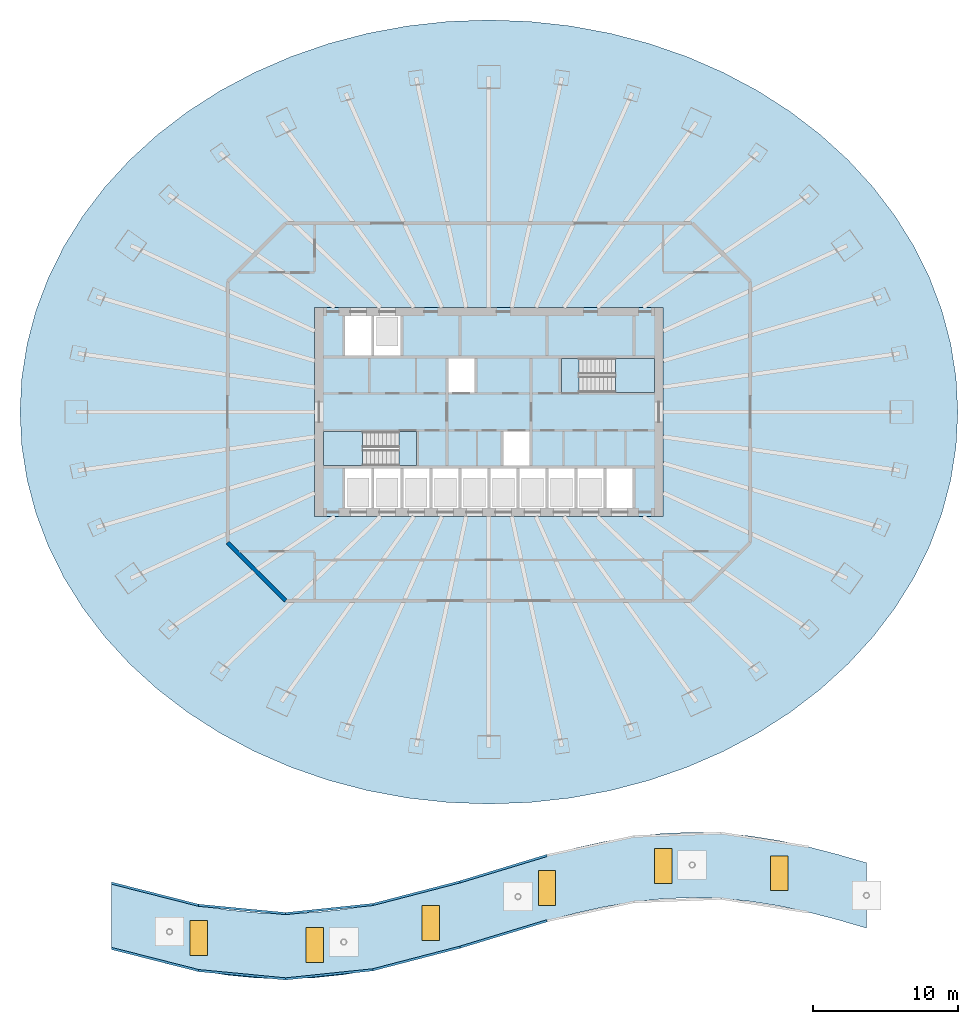
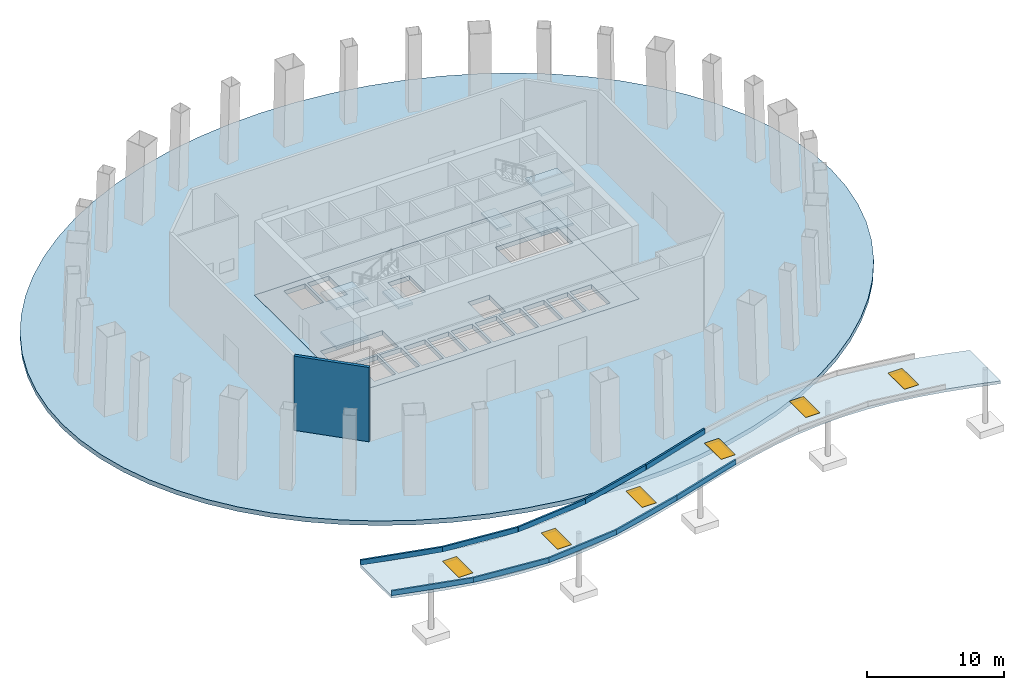
# One storey, part 5 of 10: 11 walls, 9 slabs, 6 windows, 6 openings, 2 elements without a shape of their own.
"""IFC4 building model written with IfcOpenShell, lengths in metres."""

from ifc_helpers import new_model, si_unit, direction, frame, frame_2d, origin, origin_2d, place, context, subcontext, project, spatial, polyline, rectangle, outline, extrude, material, layer, layer_set, type_object, element, fill, aggregate, save


model = new_model("IFC4")

# Units and contexts
model_context = context("Model", 3, precision=1e-05, world=origin(), true_north=direction((0.0, 1.0)))
body_context = subcontext(model_context, "Body", "Model", "MODEL_VIEW")
ifc_project = project(units=[si_unit("LENGTHUNIT", "METRE"), si_unit("AREAUNIT", "SQUARE_METRE"), si_unit("VOLUMEUNIT", "CUBIC_METRE"), si_unit("PLANEANGLEUNIT", "RADIAN"), si_unit("MASSUNIT", "GRAM", prefix="KILO")], contexts=[model_context])

# Site, building, storey
site_placement = place(None, origin())
site = spatial("IfcSite", under=ifc_project, at=site_placement, CompositionType="ELEMENT")
building_placement = place(site_placement, origin())
building = spatial("IfcBuilding", under=site, at=building_placement, Name="Siaravel Broadcast Tower", CompositionType="ELEMENT")
storey_placement = place(building_placement, origin())
storey = spatial("IfcBuildingStorey", under=building, at=storey_placement, Name="L00", CompositionType="ELEMENT", Elevation=0.0)

# Slab, openings, windows
ifc_material_1 = material(Name="Concrete C40/50", Category="concrete")
ifc_layer_1 = layer(ifc_material_1, 0.25)
ifc_layer_set_1 = layer_set([ifc_layer_1], Name="Concrete C40/50")
slab_type_1 = type_object("IfcSlabType", Name="Canopy roof slab", PredefinedType="ROOF", material=ifc_layer_set_1)
slab_1_placement = place(storey_placement, frame((0.0, 0.0, 4.75)))
slab_1 = element("IfcSlab", 1, at=slab_1_placement, inside=storey, type_object=slab_type_1, Name="Entrance canopy roof", PredefinedType="ROOF", context=body_context, shape_type="SweptSolid", body=[
    extrude(outline(polyline([(-26.0, -32.4501953125), (-24.0, -33.030517578125), (-22.0, -33.547607421875), (-20.0, -33.9765625), (-18.0, -34.2958984375), (-16.0, -34.490234375), (-14.0, -34.5498046875), (-12.0, -34.471435546875), (-10.0, -34.25927734375), (-8.0, -33.923828125), (-6.0, -33.4814453125), (-4.0, -32.953857421875), (-2.0, -32.3671875), (0.0, -31.75), (2.0, -31.1328125), (4.0, -30.546142578125), (6.0, -30.0185546875), (8.0, -29.576171875), (10.0, -29.24072265625), (12.0, -29.028564453125), (14.0, -28.9501953125), (16.0, -29.009765625), (18.0, -29.2041015625), (20.0, -29.5234375), (22.0, -29.952392578125), (24.0, -30.469482421875), (26.0, -31.0498046875), (26.0, -35.5498046875), (24.0, -34.969482421875), (22.0, -34.452392578125), (20.0, -34.0234375), (18.0, -33.7041015625), (16.0, -33.509765625), (14.0, -33.4501953125), (12.0, -33.528564453125), (10.0, -33.74072265625), (8.0, -34.076171875), (6.0, -34.5185546875), (4.0, -35.046142578125), (2.0, -35.6328125), (0.0, -36.25), (-2.0, -36.8671875), (-4.0, -37.453857421875), (-6.0, -37.9814453125), (-8.0, -38.423828125), (-10.0, -38.75927734375), (-12.0, -38.971435546875), (-14.0, -39.0498046875), (-16.0, -38.990234375), (-18.0, -38.7958984375), (-20.0, -38.4765625), (-22.0, -38.047607421875), (-24.0, -37.530517578125), (-26.0, -36.9501953125), (-26.0, -32.4501953125)])), origin(), (0.0, 0.0, 1.0), 0.25),
])
opening_1_placement = place(slab_1_placement, frame((-20.0, -36.2265625, 0.0)))
opening_1 = element("IfcOpeningElement", 2, at=opening_1_placement, cuts=slab_1, Name="Opening SKY-1", PredefinedType="OPENING", context=body_context, shape_type="SweptSolid", body=[
    extrude(rectangle(XDim=1.199951171875, YDim=2.39990234375, at=origin_2d()), origin(), (0.0, 0.0, 1.0), 0.25),
])
opening_2_placement = place(slab_1_placement, frame((-12.0, -36.721435546875, 0.0)))
opening_2 = element("IfcOpeningElement", 3, at=opening_2_placement, cuts=slab_1, Name="Opening SKY-1", PredefinedType="OPENING", context=body_context, shape_type="SweptSolid", body=[
    extrude(rectangle(XDim=1.199951171875, YDim=2.39990234375, at=origin_2d()), origin(), (0.0, 0.0, 1.0), 0.25),
])
opening_3_placement = place(slab_1_placement, frame((-4.0, -35.203857421875, 0.0)))
opening_3 = element("IfcOpeningElement", 4, at=opening_3_placement, cuts=slab_1, Name="Opening SKY-1", PredefinedType="OPENING", context=body_context, shape_type="SweptSolid", body=[
    extrude(rectangle(XDim=1.199951171875, YDim=2.39990234375, at=origin_2d()), origin(), (0.0, 0.0, 1.0), 0.25),
])
opening_4_placement = place(slab_1_placement, frame((4.0, -32.796142578125, 0.0)))
opening_4 = element("IfcOpeningElement", 5, at=opening_4_placement, cuts=slab_1, Name="Opening SKY-1", PredefinedType="OPENING", context=body_context, shape_type="SweptSolid", body=[
    extrude(rectangle(XDim=1.199951171875, YDim=2.39990234375, at=origin_2d()), origin(), (0.0, 0.0, 1.0), 0.25),
])
opening_5_placement = place(slab_1_placement, frame((12.0, -31.278564453125, 0.0)))
opening_5 = element("IfcOpeningElement", 6, at=opening_5_placement, cuts=slab_1, Name="Opening SKY-1", PredefinedType="OPENING", context=body_context, shape_type="SweptSolid", body=[
    extrude(rectangle(XDim=1.199951171875, YDim=2.39990234375, at=origin_2d()), origin(), (0.0, 0.0, 1.0), 0.25),
])
opening_6_placement = place(slab_1_placement, frame((20.0, -31.7734375, 0.0)))
opening_6 = element("IfcOpeningElement", 7, at=opening_6_placement, cuts=slab_1, Name="Opening SKY-1", PredefinedType="OPENING", context=body_context, shape_type="SweptSolid", body=[
    extrude(rectangle(XDim=1.199951171875, YDim=2.39990234375, at=origin_2d()), origin(), (0.0, 0.0, 1.0), 0.25),
])
ifc_material_2 = material(Name="Aluminium 6063-T6", Category="aluminium")
window_type = type_object("IfcWindowType", Name="Canopy rooflight", PartitioningType="SINGLE_PANEL", PredefinedType="SKYLIGHT", material=ifc_material_2)
window_1_placement = place(opening_1_placement, frame((0.0, 0.0, 0.199951171875)))
window_1 = element("IfcWindow", 8, at=window_1_placement, inside=storey, type_object=window_type, Name="Canopy rooflight 1", OverallHeight=2.39990234375, OverallWidth=1.199951171875, PartitioningType="SINGLE_PANEL", PredefinedType="SKYLIGHT", context=body_context, shape_type="SweptSolid", body=[
    extrude(rectangle(XDim=1.199951171875, YDim=2.39990234375, at=origin_2d()), origin(), (0.0, 0.0, 1.0), 0.050048828125),
])
fill(opening_1, window_1)
window_2_placement = place(opening_2_placement, frame((0.0, 0.0, 0.199951171875)))
window_2 = element("IfcWindow", 9, at=window_2_placement, inside=storey, type_object=window_type, Name="Canopy rooflight 2", OverallHeight=2.39990234375, OverallWidth=1.199951171875, PartitioningType="SINGLE_PANEL", PredefinedType="SKYLIGHT", context=body_context, shape_type="SweptSolid", body=[
    extrude(rectangle(XDim=1.199951171875, YDim=2.39990234375, at=origin_2d()), origin(), (0.0, 0.0, 1.0), 0.050048828125),
])
fill(opening_2, window_2)
window_3_placement = place(opening_3_placement, frame((0.0, 0.0, 0.199951171875)))
window_3 = element("IfcWindow", 10, at=window_3_placement, inside=storey, type_object=window_type, Name="Canopy rooflight 3", OverallHeight=2.39990234375, OverallWidth=1.199951171875, PartitioningType="SINGLE_PANEL", PredefinedType="SKYLIGHT", context=body_context, shape_type="SweptSolid", body=[
    extrude(rectangle(XDim=1.199951171875, YDim=2.39990234375, at=origin_2d()), origin(), (0.0, 0.0, 1.0), 0.050048828125),
])
fill(opening_3, window_3)
window_4_placement = place(opening_4_placement, frame((0.0, 0.0, 0.199951171875)))
window_4 = element("IfcWindow", 11, at=window_4_placement, inside=storey, type_object=window_type, Name="Canopy rooflight 4", OverallHeight=2.39990234375, OverallWidth=1.199951171875, PartitioningType="SINGLE_PANEL", PredefinedType="SKYLIGHT", context=body_context, shape_type="SweptSolid", body=[
    extrude(rectangle(XDim=1.199951171875, YDim=2.39990234375, at=origin_2d()), origin(), (0.0, 0.0, 1.0), 0.050048828125),
])
fill(opening_4, window_4)
window_5_placement = place(opening_5_placement, frame((0.0, 0.0, 0.199951171875)))
window_5 = element("IfcWindow", 12, at=window_5_placement, inside=storey, type_object=window_type, Name="Canopy rooflight 5", OverallHeight=2.39990234375, OverallWidth=1.199951171875, PartitioningType="SINGLE_PANEL", PredefinedType="SKYLIGHT", context=body_context, shape_type="SweptSolid", body=[
    extrude(rectangle(XDim=1.199951171875, YDim=2.39990234375, at=origin_2d()), origin(), (0.0, 0.0, 1.0), 0.050048828125),
])
fill(opening_5, window_5)
window_6_placement = place(opening_6_placement, frame((0.0, 0.0, 0.199951171875)))
window_6 = element("IfcWindow", 13, at=window_6_placement, inside=storey, type_object=window_type, Name="Canopy rooflight 6", OverallHeight=2.39990234375, OverallWidth=1.199951171875, PartitioningType="SINGLE_PANEL", PredefinedType="SKYLIGHT", context=body_context, shape_type="SweptSolid", body=[
    extrude(rectangle(XDim=1.199951171875, YDim=2.39990234375, at=origin_2d()), origin(), (0.0, 0.0, 1.0), 0.050048828125),
])
fill(opening_6, window_6)

# Slabs
ifc_layer_2 = layer(ifc_material_1, 0.39990234375)
ifc_layer_set_2 = layer_set([ifc_layer_2], Name="Concrete C40/50")
slab_type_2 = type_object("IfcSlabType", Name="Core floor slab 400", PredefinedType="FLOOR", material=ifc_layer_set_2)
slab_2_placement = place(storey_placement, frame((0.0, 0.0, -0.39990234375)))
element("IfcSlab", 14, at=slab_2_placement, inside=storey, type_object=slab_type_2, Name="L00 core floor", PredefinedType="FLOOR", context=body_context, shape_type="SweptSolid", body=[
    extrude(outline(polyline([(-12.0, -7.199951171875), (-12.0, 7.199951171875), (12.0, 7.199951171875), (12.0, -7.199951171875), (-12.0, -7.199951171875)]), holes=[polyline([(11.3994140625, 1.3505859375), (11.3994140625, 3.699462890625), (6.200439453125, 3.699462890625), (6.200439453125, 1.3505859375), (11.3994140625, 1.3505859375)]), polyline([(9.89990234375, -3.89990234375), (8.10009765625, -3.89990234375), (8.10009765625, -6.60009765625), (9.89990234375, -6.60009765625), (9.89990234375, -3.89990234375)]), polyline([(7.89990234375, -3.89990234375), (6.10009765625, -3.89990234375), (6.10009765625, -6.60009765625), (7.89990234375, -6.60009765625), (7.89990234375, -3.89990234375)]), polyline([(5.89990234375, -3.89990234375), (4.10009765625, -3.89990234375), (4.10009765625, -6.60009765625), (5.89990234375, -6.60009765625), (5.89990234375, -3.89990234375)]), polyline([(3.89990234375, -3.89990234375), (2.10009765625, -3.89990234375), (2.10009765625, -6.60009765625), (3.89990234375, -6.60009765625), (3.89990234375, -3.89990234375)]), polyline([(2.800048828125, -1.35009765625), (1.0, -1.35009765625), (1.0, -3.699951171875), (2.800048828125, -3.699951171875), (2.800048828125, -1.35009765625)]), polyline([(1.89990234375, -3.89990234375), (0.10009765625, -3.89990234375), (0.10009765625, -6.60009765625), (1.89990234375, -6.60009765625), (1.89990234375, -3.89990234375)]), polyline([(-0.10009765625, -3.89990234375), (-1.89990234375, -3.89990234375), (-1.89990234375, -6.60009765625), (-0.10009765625, -6.60009765625), (-0.10009765625, -3.89990234375)]), polyline([(-1.0, 3.699951171875), (-2.800048828125, 3.699951171875), (-2.800048828125, 1.35009765625), (-1.0, 1.35009765625), (-1.0, 3.699951171875)]), polyline([(-2.10009765625, -3.89990234375), (-3.89990234375, -3.89990234375), (-3.89990234375, -6.60009765625), (-2.10009765625, -6.60009765625), (-2.10009765625, -3.89990234375)]), polyline([(-4.10009765625, -3.89990234375), (-5.89990234375, -3.89990234375), (-5.89990234375, -6.60009765625), (-4.10009765625, -6.60009765625), (-4.10009765625, -3.89990234375)]), polyline([(-6.10009765625, -3.89990234375), (-7.89990234375, -3.89990234375), (-7.89990234375, -6.60009765625), (-6.10009765625, -6.60009765625), (-6.10009765625, -3.89990234375)]), polyline([(-6.10009765625, 6.60009765625), (-7.89990234375, 6.60009765625), (-7.89990234375, 3.89990234375), (-6.10009765625, 3.89990234375), (-6.10009765625, 6.60009765625)]), polyline([(-11.3994140625, -1.3505859375), (-11.3994140625, -3.699462890625), (-6.200439453125, -3.699462890625), (-6.200439453125, -1.3505859375), (-11.3994140625, -1.3505859375)]), polyline([(-8.10009765625, -3.89990234375), (-9.89990234375, -3.89990234375), (-9.89990234375, -6.60009765625), (-8.10009765625, -6.60009765625), (-8.10009765625, -3.89990234375)]), polyline([(-8.10009765625, 6.60009765625), (-9.89990234375, 6.60009765625), (-9.89990234375, 3.89990234375), (-8.10009765625, 3.89990234375), (-8.10009765625, 6.60009765625)])]), origin(), (0.0, 0.0, 1.0), 0.39990234375),
])
ifc_layer_3 = layer(ifc_material_1, 0.39990234375)
ifc_layer_set_3 = layer_set([ifc_layer_3], Name="Concrete C40/50")
slab_type_3 = type_object("IfcSlabType", Name="SLB-FLOOR-400", PredefinedType="FLOOR", material=ifc_layer_set_3)
slab_3_placement = place(storey_placement, frame((0.0, 0.0, -0.39990234375)))
element("IfcSlab", 15, at=slab_3_placement, inside=storey, type_object=slab_type_3, Name="Floor slab", PredefinedType="FLOOR", context=body_context, shape_type="SweptSolid", body=[
    extrude(outline(polyline([(32.300048828125, 0.0), (32.177001953125, 2.353271484375), (31.809326171875, 4.6884765625), (31.199462890625, 6.988037109375), (30.35205078125, 9.234619140625), (29.273681640625, 11.41064453125), (27.97265625, 13.5), (26.45849609375, 15.486572265625), (24.7431640625, 17.355224609375), (22.839599609375, 19.091796875), (20.761962890625, 20.68310546875), (18.526611328125, 22.1171875), (16.14990234375, 23.3828125), (13.650634765625, 24.47021484375), (11.04736328125, 25.37158203125), (8.35986328125, 26.080078125), (5.60888671875, 26.58984375), (2.815185546875, 26.897216796875), (0.0, 27.0), (-2.815185546875, 26.897216796875), (-5.60888671875, 26.58984375), (-8.35986328125, 26.080078125), (-11.04736328125, 25.37158203125), (-13.650634765625, 24.47021484375), (-16.14990234375, 23.3828125), (-18.526611328125, 22.1171875), (-20.761962890625, 20.68310546875), (-22.839599609375, 19.091796875), (-24.7431640625, 17.355224609375), (-26.45849609375, 15.486572265625), (-27.97265625, 13.5), (-29.273681640625, 11.41064453125), (-30.35205078125, 9.234619140625), (-31.199462890625, 6.988037109375), (-31.809326171875, 4.6884765625), (-32.177001953125, 2.353271484375), (-32.300048828125, 0.0), (-32.177001953125, -2.353271484375), (-31.809326171875, -4.6884765625), (-31.199462890625, -6.988037109375), (-30.35205078125, -9.234619140625), (-29.273681640625, -11.41064453125), (-27.97265625, -13.5), (-26.45849609375, -15.486572265625), (-24.7431640625, -17.355224609375), (-22.839599609375, -19.091796875), (-20.761962890625, -20.68310546875), (-18.526611328125, -22.1171875), (-16.14990234375, -23.3828125), (-13.650634765625, -24.47021484375), (-11.04736328125, -25.37158203125), (-8.35986328125, -26.080078125), (-5.60888671875, -26.58984375), (-2.815185546875, -26.897216796875), (0.0, -27.0), (2.815185546875, -26.897216796875), (5.60888671875, -26.58984375), (8.35986328125, -26.080078125), (11.04736328125, -25.37158203125), (13.650634765625, -24.47021484375), (16.14990234375, -23.3828125), (18.526611328125, -22.1171875), (20.761962890625, -20.68310546875), (22.839599609375, -19.091796875), (24.7431640625, -17.355224609375), (26.45849609375, -15.486572265625), (27.97265625, -13.5), (29.273681640625, -11.41064453125), (30.35205078125, -9.234619140625), (31.199462890625, -6.988037109375), (31.809326171875, -4.6884765625), (32.177001953125, -2.353271484375), (32.300048828125, 0.0)]), holes=[polyline([(-12.0, 7.199951171875), (12.0, 7.199951171875), (12.0, -7.199951171875), (-12.0, -7.199951171875), (-12.0, 7.199951171875)])]), origin(), (0.0, 0.0, 1.0), 0.39990234375),
])

# Stair, slabs
stair_type = type_object("IfcStairType", Name="Core exit stair", PredefinedType="HALF_TURN_STAIR", material=ifc_material_1)
stair_1_placement = place(storey_placement, origin())
stair_1 = element("IfcStair", 16, at=stair_1_placement, inside=storey, type_object=stair_type, Name="L00 Exit stair ST-1", PredefinedType="HALF_TURN_STAIR")
ifc_layer_4 = layer(ifc_material_1, 0.199951171875)
ifc_layer_set_4 = layer_set([ifc_layer_4], Name="Concrete C40/50")
slab_type_4 = type_object("IfcSlabType", Name="Stair landing", PredefinedType="LANDING", material=ifc_layer_set_4)
slab_4_placement = place(storey_placement, frame((0.0, 0.0, 1.550048828125)))
slab_4 = element("IfcSlab", 17, at=slab_4_placement, type_object=slab_type_4, Name="ST-1 landing 1", PredefinedType="LANDING", context=body_context, shape_type="SweptSolid", body=[
    extrude(outline(polyline([(-8.719970703125, -1.35009765625), (-11.39990234375, -1.35009765625), (-11.39990234375, -3.699951171875), (-8.719970703125, -3.699951171875), (-8.719970703125, -1.35009765625)])), origin(), (0.0, 0.0, 1.0), 0.199951171875),
])
slab_5_placement = place(storey_placement, frame((0.0, 0.0, 3.300048828125)))
slab_5 = element("IfcSlab", 18, at=slab_5_placement, type_object=slab_type_4, Name="ST-1 landing 2", PredefinedType="LANDING", context=body_context, shape_type="SweptSolid", body=[
    extrude(outline(polyline([(-5.0, -1.35009765625), (-6.199951171875, -1.35009765625), (-6.199951171875, -3.699951171875), (-5.0, -3.699951171875), (-5.0, -1.35009765625)])), origin(), (0.0, 0.0, 1.0), 0.199951171875),
])
slab_6_placement = place(storey_placement, frame((0.0, 0.0, 5.050048828125)))
slab_6 = element("IfcSlab", 19, at=slab_6_placement, type_object=slab_type_4, Name="ST-1 landing 3", PredefinedType="LANDING", context=body_context, shape_type="SweptSolid", body=[
    extrude(outline(polyline([(-8.719970703125, -1.35009765625), (-11.39990234375, -1.35009765625), (-11.39990234375, -3.699951171875), (-8.719970703125, -3.699951171875), (-8.719970703125, -1.35009765625)])), origin(), (0.0, 0.0, 1.0), 0.199951171875),
])
aggregate(stair_1, [slab_4, slab_5, slab_6])

stair_2_placement = place(storey_placement, origin())
stair_2 = element("IfcStair", 20, at=stair_2_placement, inside=storey, type_object=stair_type, Name="L00 Exit stair ST-2", PredefinedType="HALF_TURN_STAIR")
slab_7_placement = place(storey_placement, frame((0.0, 0.0, 1.550048828125)))
slab_7 = element("IfcSlab", 21, at=slab_7_placement, type_object=slab_type_4, Name="ST-2 landing 1", PredefinedType="LANDING", context=body_context, shape_type="SweptSolid", body=[
    extrude(outline(polyline([(8.719970703125, 1.35009765625), (11.39990234375, 1.35009765625), (11.39990234375, 3.699951171875), (8.719970703125, 3.699951171875), (8.719970703125, 1.35009765625)])), origin(), (0.0, 0.0, 1.0), 0.199951171875),
])
slab_8_placement = place(storey_placement, frame((0.0, 0.0, 3.300048828125)))
slab_8 = element("IfcSlab", 22, at=slab_8_placement, type_object=slab_type_4, Name="ST-2 landing 2", PredefinedType="LANDING", context=body_context, shape_type="SweptSolid", body=[
    extrude(outline(polyline([(5.0, 1.35009765625), (6.199951171875, 1.35009765625), (6.199951171875, 3.699951171875), (5.0, 3.699951171875), (5.0, 1.35009765625)])), origin(), (0.0, 0.0, 1.0), 0.199951171875),
])
slab_9_placement = place(storey_placement, frame((0.0, 0.0, 5.050048828125)))
slab_9 = element("IfcSlab", 23, at=slab_9_placement, type_object=slab_type_4, Name="ST-2 landing 3", PredefinedType="LANDING", context=body_context, shape_type="SweptSolid", body=[
    extrude(outline(polyline([(8.719970703125, 1.35009765625), (11.39990234375, 1.35009765625), (11.39990234375, 3.699951171875), (8.719970703125, 3.699951171875), (8.719970703125, 1.35009765625)])), origin(), (0.0, 0.0, 1.0), 0.199951171875),
])
aggregate(stair_2, [slab_7, slab_8, slab_9])

# Walls
ifc_layer_5 = layer(ifc_material_1, 0.14990234375)
ifc_layer_set_5 = layer_set([ifc_layer_5], Name="Concrete C40/50")
wall_type_1 = type_object("IfcWallType", Name="Canopy parapet", PredefinedType="PARAPET", material=ifc_layer_set_5)
wall_1_placement = place(storey_placement, frame((-26.0, -32.4501953125, 5.0), z_axis=(0.0, 0.0, 1.0), x_axis=(0.96913213, -0.246541914, 0.0)))
element("IfcWall", 24, at=wall_1_placement, inside=storey, type_object=wall_type_1, Name="Canopy parapet N01", PredefinedType="PARAPET", context=body_context, shape_type="SweptSolid", body=[
    extrude(rectangle(XDim=6.191162109375, YDim=0.14990234375, at=frame_2d((3.095703125, 0.0))), origin(), (0.0, 0.0, 1.0), 0.449951171875),
])
wall_2_placement = place(storey_placement, frame((-20.0, -33.9765625, 5.0), z_axis=(0.0, 0.0, 1.0), x_axis=(0.995467028, -0.095107283, 0.0)))
element("IfcWall", 25, at=wall_2_placement, inside=storey, type_object=wall_type_1, Name="Canopy parapet N02", PredefinedType="PARAPET", context=body_context, shape_type="SweptSolid", body=[
    extrude(rectangle(XDim=6.02734375, YDim=0.14990234375, at=frame_2d((3.013671875, 0.0))), origin(), (0.0, 0.0, 1.0), 0.449951171875),
])
wall_3_placement = place(storey_placement, frame((-14.0, -34.5498046875, 5.0), z_axis=(0.0, 0.0, 1.0), x_axis=(0.994601714, 0.103766227, 0.0)))
element("IfcWall", 26, at=wall_3_placement, inside=storey, type_object=wall_type_1, Name="Canopy parapet N03", PredefinedType="PARAPET", context=body_context, shape_type="SweptSolid", body=[
    extrude(rectangle(XDim=6.032470703125, YDim=0.14990234375, at=frame_2d((3.01611328125, 0.0))), origin(), (0.0, 0.0, 1.0), 0.449951171875),
])
wall_4_placement = place(storey_placement, frame((-8.0, -33.923828125, 5.0), z_axis=(0.0, 0.0, 1.0), x_axis=(0.967954359, 0.25112618, 0.0)))
element("IfcWall", 27, at=wall_4_placement, inside=storey, type_object=wall_type_1, Name="Canopy parapet N04", PredefinedType="PARAPET", context=body_context, shape_type="SweptSolid", body=[
    extrude(rectangle(XDim=6.19873046875, YDim=0.14990234375, at=frame_2d((3.099365234375, 0.0))), origin(), (0.0, 0.0, 1.0), 0.449951171875),
])
wall_5_placement = place(storey_placement, frame((-2.0, -32.3671875, 5.0), z_axis=(0.0, 0.0, 1.0), x_axis=(0.956897582, 0.29042558, 0.0)))
element("IfcWall", 28, at=wall_5_placement, inside=storey, type_object=wall_type_1, Name="Canopy parapet N05", PredefinedType="PARAPET", context=body_context, shape_type="SweptSolid", body=[
    extrude(rectangle(XDim=6.270263671875, YDim=0.14990234375, at=frame_2d((3.13525390625, 0.0))), origin(), (0.0, 0.0, 1.0), 0.449951171875),
])
wall_6_placement = place(storey_placement, frame((-26.0, -36.9501953125, 5.0), z_axis=(0.0, 0.0, 1.0), x_axis=(0.96913213, -0.246541914, 0.0)))
element("IfcWall", 29, at=wall_6_placement, inside=storey, type_object=wall_type_1, Name="Canopy parapet S01", PredefinedType="PARAPET", context=body_context, shape_type="SweptSolid", body=[
    extrude(rectangle(XDim=6.191162109375, YDim=0.14990234375, at=frame_2d((3.095703125, 0.0))), origin(), (0.0, 0.0, 1.0), 0.449951171875),
])
wall_7_placement = place(storey_placement, frame((-20.0, -38.4765625, 5.0), z_axis=(0.0, 0.0, 1.0), x_axis=(0.995467028, -0.095107283, 0.0)))
element("IfcWall", 30, at=wall_7_placement, inside=storey, type_object=wall_type_1, Name="Canopy parapet S02", PredefinedType="PARAPET", context=body_context, shape_type="SweptSolid", body=[
    extrude(rectangle(XDim=6.02734375, YDim=0.14990234375, at=frame_2d((3.013671875, 0.0))), origin(), (0.0, 0.0, 1.0), 0.449951171875),
])
wall_8_placement = place(storey_placement, frame((-14.0, -39.0498046875, 5.0), z_axis=(0.0, 0.0, 1.0), x_axis=(0.994601714, 0.103766227, 0.0)))
element("IfcWall", 31, at=wall_8_placement, inside=storey, type_object=wall_type_1, Name="Canopy parapet S03", PredefinedType="PARAPET", context=body_context, shape_type="SweptSolid", body=[
    extrude(rectangle(XDim=6.032470703125, YDim=0.14990234375, at=frame_2d((3.01611328125, 0.0))), origin(), (0.0, 0.0, 1.0), 0.449951171875),
])
wall_9_placement = place(storey_placement, frame((-8.0, -38.423828125, 5.0), z_axis=(0.0, 0.0, 1.0), x_axis=(0.967954359, 0.25112618, 0.0)))
element("IfcWall", 32, at=wall_9_placement, inside=storey, type_object=wall_type_1, Name="Canopy parapet S04", PredefinedType="PARAPET", context=body_context, shape_type="SweptSolid", body=[
    extrude(rectangle(XDim=6.19873046875, YDim=0.14990234375, at=frame_2d((3.099365234375, 0.0))), origin(), (0.0, 0.0, 1.0), 0.449951171875),
])
wall_10_placement = place(storey_placement, frame((-2.0, -36.8671875, 5.0), z_axis=(0.0, 0.0, 1.0), x_axis=(0.956897582, 0.29042558, 0.0)))
element("IfcWall", 33, at=wall_10_placement, inside=storey, type_object=wall_type_1, Name="Canopy parapet S05", PredefinedType="PARAPET", context=body_context, shape_type="SweptSolid", body=[
    extrude(rectangle(XDim=6.270263671875, YDim=0.14990234375, at=frame_2d((3.13525390625, 0.0))), origin(), (0.0, 0.0, 1.0), 0.449951171875),
])
ifc_layer_6 = layer(ifc_material_1, 0.25)
ifc_layer_set_6 = layer_set([ifc_layer_6], Name="Concrete C40/50")
wall_type_2 = type_object("IfcWallType", Name="Pavilion glazed wall", PredefinedType="STANDARD", material=ifc_layer_set_6)
wall_11_placement = place(storey_placement, frame((-14.0, -13.0, 0.0), z_axis=(0.0, 0.0, 1.0), x_axis=(-0.707106781, 0.707106781, 0.0)))
element("IfcWall", 34, at=wall_11_placement, inside=storey, type_object=wall_type_2, Name="Lobby pavilion wall 06", PredefinedType="STANDARD", context=body_context, shape_type="SweptSolid", body=[
    extrude(rectangle(XDim=5.65673828125, YDim=0.25, at=frame_2d((2.828369140625, 0.0))), origin(), (0.0, 0.0, 1.0), 6.60009765625),
])

save(model, "model.ifc")
